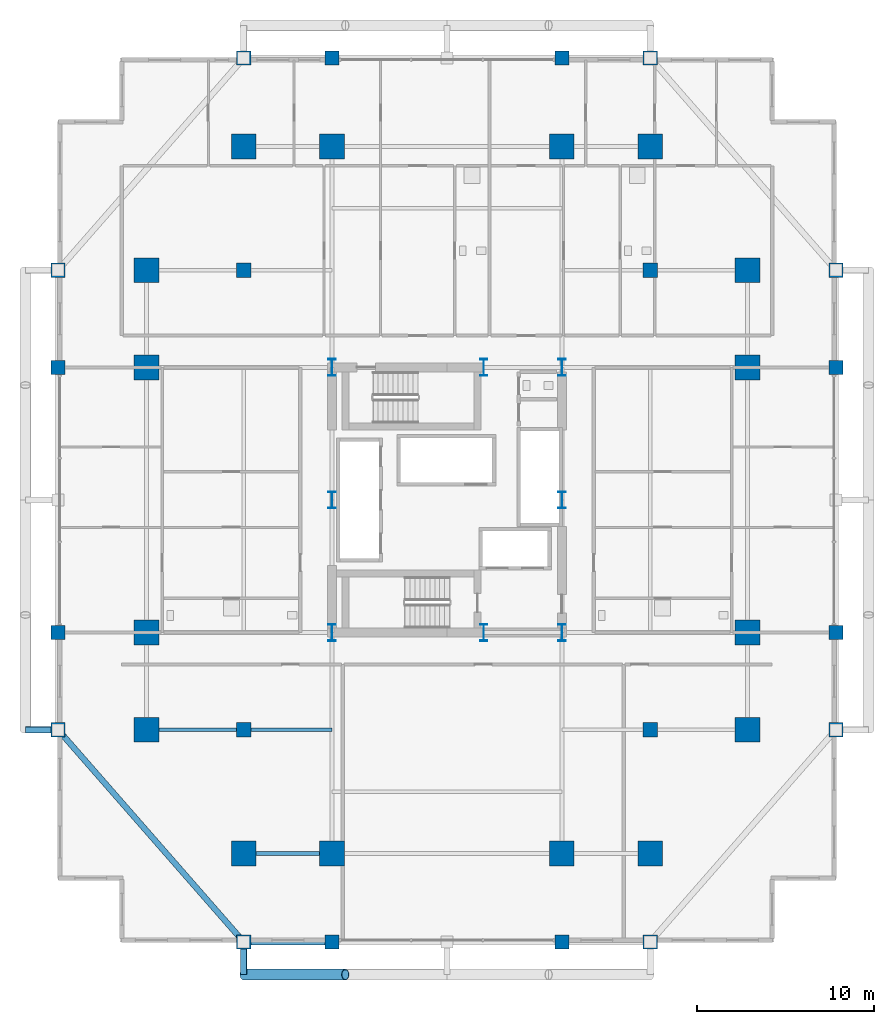
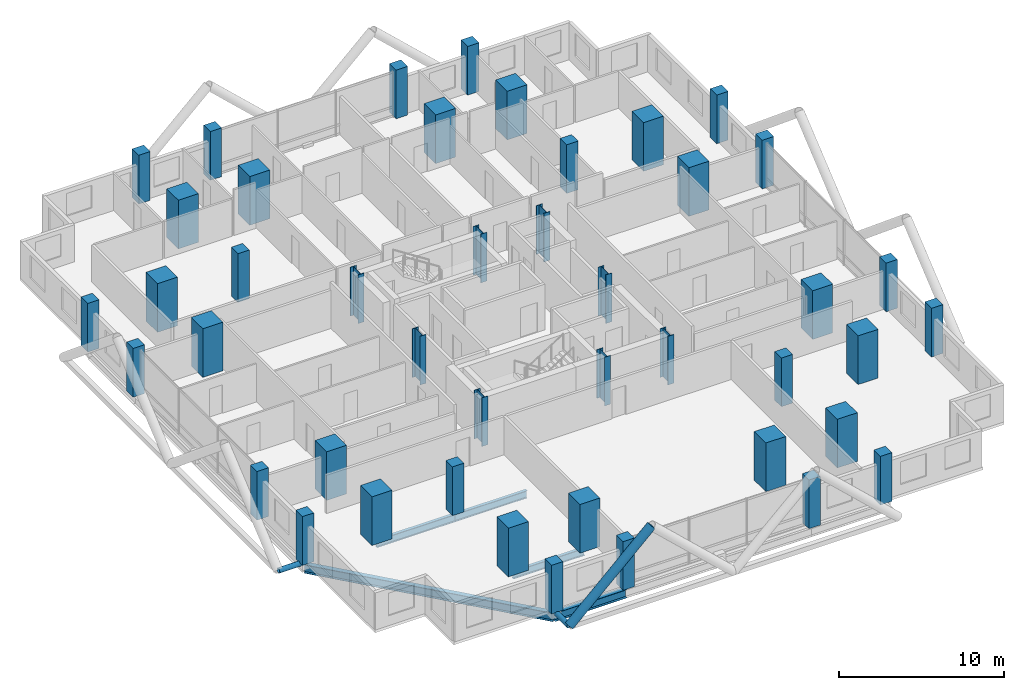
# One storey, part 1 of 27: 44 columns, 5 beams, 3 members.
"""IFC4 building model written with IfcOpenShell, lengths in metres."""

from ifc_helpers import new_model, si_unit, direction, frame, origin, origin_2d, place, context, subcontext, project, spatial, rectangle, hollow_circle, i_section, extrude, material, material_profile, profile_set, type_object, element, save


model = new_model("IFC4")

# Units and contexts
model_context = context("Model", 3, precision=1e-05, world=origin(), true_north=direction((0.0, 1.0)))
body_context = subcontext(model_context, "Body", "Model", "MODEL_VIEW")
ifc_project = project(units=[si_unit("LENGTHUNIT", "METRE"), si_unit("AREAUNIT", "SQUARE_METRE"), si_unit("VOLUMEUNIT", "CUBIC_METRE"), si_unit("PLANEANGLEUNIT", "RADIAN"), si_unit("MASSUNIT", "GRAM", prefix="KILO")], contexts=[model_context])

# Site, building, storey
site_placement = place(None, origin())
site = spatial("IfcSite", under=ifc_project, at=site_placement, CompositionType="ELEMENT")
building_placement = place(site_placement, origin())
building = spatial("IfcBuilding", under=site, at=building_placement, Name="Barlavira Tower and Art Museum", CompositionType="ELEMENT")
storey_placement = place(building_placement, frame((0.0, 0.0, 61.199951171875)))
storey = spatial("IfcBuildingStorey", under=building, at=storey_placement, Name="L14", CompositionType="ELEMENT", Elevation=61.199951171875)

# Columns
ifc_material_1 = material(Name="Steel S355", Category="steel")
ifc_material_profile_1 = material_profile(ifc_material_1, i_section(OverallWidth=0.419921875, OverallDepth=0.9599609375, WebThickness=0.02197265625, FlangeThickness=0.033935546875, at=origin_2d()), Name="W920x387.0")
ifc_profile_set_1 = profile_set([ifc_material_profile_1], Name="Steel S355")
column_type_1 = type_object("IfcColumnType", Name="Core Composite Column W920x387 Steel S355", PredefinedType="COLUMN", material=ifc_profile_set_1)
for number, where, z_axis, x_axis, name in (
    (1, (-6.5, -7.5, 0.0), (0.0, 0.0, 1.0), (1.0, 0.0, 0.0), "L14 Column CC-L14-C1"),
    (2, (2.080078125, -7.5, 0.0), (0.0, 0.0, 1.0), (1.0, 0.0, 0.0), "L14 Column CC-L14-C2"),
    (3, (6.5, -7.5, 0.0), (0.0, 0.0, 1.0), (1.0, 0.0, 0.0), "L14 Column CC-L14-C3"),
    (4, (-6.5, 0.0, 0.0), (0.0, 0.0, 1.0), (1.0, 0.0, 0.0), "L14 Column CC-L14-C4"),
    (5, (6.5, 0.0, 0.0), (0.0, 0.0, 1.0), (1.0, 0.0, 0.0), "L14 Column CC-L14-C5"),
    (6, (-6.5, 7.5, 0.0), (0.0, 0.0, 1.0), (1.0, 0.0, 0.0), "L14 Column CC-L14-C6"),
    (7, (2.080078125, 7.5, 0.0), (0.0, 0.0, 1.0), (1.0, 0.0, 0.0), "L14 Column CC-L14-C7"),
    (8, (6.5, 7.5, 0.0), (0.0, 0.0, 1.0), (1.0, 0.0, 0.0), "L14 Column CC-L14-C8"),
):
    element("IfcColumn", number, at=place(storey_placement, frame(where, z_axis=z_axis, x_axis=x_axis)), inside=storey, type_object=column_type_1, Name=name, PredefinedType="COLUMN", context=body_context, shape_type="SweptSolid", body=[
        extrude(i_section(OverallWidth=0.419921875, OverallDepth=0.9599609375, WebThickness=0.02197265625, FlangeThickness=0.033935546875, at=origin_2d()), origin(), (0.0, 0.0, 1.0), 3.60009765625),
    ])
ifc_material_2 = material(Name="Concrete C60", Category="concrete")
ifc_material_profile_2 = material_profile(ifc_material_2, rectangle(XDim=1.39990234375, YDim=1.39990234375, at=origin_2d()), Name="RC-MCOL 1400x1400")
ifc_profile_set_2 = profile_set([ifc_material_profile_2], Name="Concrete C60")
column_type_2 = type_object("IfcColumnType", Name="Perimeter Mega Column 1400x1400 Concrete C60", PredefinedType="USERDEFINED", material=ifc_profile_set_2)
for number, where, z_axis, x_axis, name in (
    (9, (-11.5, -20.0, 0.0), (0.0, 0.0, 1.0), (1.0, 0.0, 0.0), "L14 Column MC-L14-M01"),
    (10, (-6.5, -20.0, 0.0), (0.0, 0.0, 1.0), (1.0, 0.0, 0.0), "L14 Column MC-L14-M02"),
    (11, (6.5, -20.0, 0.0), (0.0, 0.0, 1.0), (1.0, 0.0, 0.0), "L14 Column MC-L14-M03"),
    (12, (11.5, -20.0, 0.0), (0.0, 0.0, 1.0), (1.0, 0.0, 0.0), "L14 Column MC-L14-M04"),
    (13, (17.0, -13.0, 0.0), (0.0, 0.0, 1.0), (1.0, 0.0, 0.0), "L14 Column MC-L14-M05"),
    (14, (17.0, -7.5, 0.0), (0.0, 0.0, 1.0), (1.0, 0.0, 0.0), "L14 Column MC-L14-M06"),
    (15, (17.0, 7.5, 0.0), (0.0, 0.0, 1.0), (1.0, 0.0, 0.0), "L14 Column MC-L14-M07"),
    (16, (17.0, 13.0, 0.0), (0.0, 0.0, 1.0), (1.0, 0.0, 0.0), "L14 Column MC-L14-M08"),
    (17, (11.5, 20.0, 0.0), (0.0, 0.0, 1.0), (1.0, 0.0, 0.0), "L14 Column MC-L14-M09"),
    (18, (6.5, 20.0, 0.0), (0.0, 0.0, 1.0), (1.0, 0.0, 0.0), "L14 Column MC-L14-M10"),
    (19, (-6.5, 20.0, 0.0), (0.0, 0.0, 1.0), (1.0, 0.0, 0.0), "L14 Column MC-L14-M11"),
    (20, (-11.5, 20.0, 0.0), (0.0, 0.0, 1.0), (1.0, 0.0, 0.0), "L14 Column MC-L14-M12"),
    (21, (-17.0, 13.0, 0.0), (0.0, 0.0, 1.0), (1.0, 0.0, 0.0), "L14 Column MC-L14-M13"),
    (22, (-17.0, 7.5, 0.0), (0.0, 0.0, 1.0), (1.0, 0.0, 0.0), "L14 Column MC-L14-M14"),
    (23, (-17.0, -7.5, 0.0), (0.0, 0.0, 1.0), (1.0, 0.0, 0.0), "L14 Column MC-L14-M15"),
    (24, (-17.0, -13.0, 0.0), (0.0, 0.0, 1.0), (1.0, 0.0, 0.0), "L14 Column MC-L14-M16"),
):
    element("IfcColumn", number, at=place(storey_placement, frame(where, z_axis=z_axis, x_axis=x_axis)), inside=storey, type_object=column_type_2, Name=name, ObjectType="MEGA COLUMN", PredefinedType="USERDEFINED", context=body_context, shape_type="SweptSolid", body=[
        extrude(rectangle(XDim=1.39990234375, YDim=1.39990234375, at=origin_2d()), origin(), (0.0, 0.0, 1.0), 3.60009765625),
    ])
ifc_material_3 = material(Name="Concrete C50", Category="concrete")
ifc_material_profile_3 = material_profile(ifc_material_3, rectangle(XDim=0.800048828125, YDim=0.800048828125, at=origin_2d()), Name="RC-COL 800x800")
ifc_profile_set_3 = profile_set([ifc_material_profile_3], Name="Concrete C50")
column_type_3 = type_object("IfcColumnType", Name="Podium Frame Column 800x800 Concrete C50", PredefinedType="COLUMN", material=ifc_profile_set_3)
for number, where, z_axis, x_axis, name in (
    (25, (-11.5, -13.0, 0.0), (0.0, 0.0, 1.0), (1.0, 0.0, 0.0), "L14 Column CI-L14-I1"),
    (26, (11.5, -13.0, 0.0), (0.0, 0.0, 1.0), (1.0, 0.0, 0.0), "L14 Column CI-L14-I2"),
    (27, (-11.5, 13.0, 0.0), (0.0, 0.0, 1.0), (1.0, 0.0, 0.0), "L14 Column CI-L14-I3"),
    (28, (11.5, 13.0, 0.0), (0.0, 0.0, 1.0), (1.0, 0.0, 0.0), "L14 Column CI-L14-I4"),
    (29, (-11.5, -25.0, 0.0), (0.0, 0.0, 1.0), (1.0, 0.0, 0.0), "L14 Column CZ1-L14-N01"),
    (30, (-6.5, -25.0, 0.0), (0.0, 0.0, 1.0), (1.0, 0.0, 0.0), "L14 Column CZ1-L14-N02"),
    (31, (6.5, -25.0, 0.0), (0.0, 0.0, 1.0), (1.0, 0.0, 0.0), "L14 Column CZ1-L14-N02B"),
    (32, (11.5, -25.0, 0.0), (0.0, 0.0, 1.0), (1.0, 0.0, 0.0), "L14 Column CZ1-L14-N03"),
    (33, (-22.0, -13.0, 0.0), (0.0, 0.0, 1.0), (1.0, 0.0, 0.0), "L14 Column CZ1-L14-N04"),
    (34, (-22.0, -7.5, 0.0), (0.0, 0.0, 1.0), (1.0, 0.0, 0.0), "L14 Column CZ1-L14-N05"),
    (35, (-22.0, 7.5, 0.0), (0.0, 0.0, 1.0), (1.0, 0.0, 0.0), "L14 Column CZ1-L14-N05B"),
    (36, (-22.0, 13.0, 0.0), (0.0, 0.0, 1.0), (1.0, 0.0, 0.0), "L14 Column CZ1-L14-N06"),
    (37, (-11.5, 25.0, 0.0), (0.0, 0.0, 1.0), (1.0, 0.0, 0.0), "L14 Column CZ1-L14-N07"),
    (38, (-6.5, 25.0, 0.0), (0.0, 0.0, 1.0), (1.0, 0.0, 0.0), "L14 Column CZ1-L14-N08"),
    (39, (6.5, 25.0, 0.0), (0.0, 0.0, 1.0), (1.0, 0.0, 0.0), "L14 Column CZ1-L14-N08B"),
    (40, (11.5, 25.0, 0.0), (0.0, 0.0, 1.0), (1.0, 0.0, 0.0), "L14 Column CZ1-L14-N09"),
    (41, (22.0, -13.0, 0.0), (0.0, 0.0, 1.0), (1.0, 0.0, 0.0), "L14 Column CZ1-L14-N10"),
    (42, (22.0, -7.5, 0.0), (0.0, 0.0, 1.0), (1.0, 0.0, 0.0), "L14 Column CZ1-L14-N11"),
    (43, (22.0, 7.5, 0.0), (0.0, 0.0, 1.0), (1.0, 0.0, 0.0), "L14 Column CZ1-L14-N11B"),
    (44, (22.0, 13.0, 0.0), (0.0, 0.0, 1.0), (1.0, 0.0, 0.0), "L14 Column CZ1-L14-N12"),
):
    element("IfcColumn", number, at=place(storey_placement, frame(where, z_axis=z_axis, x_axis=x_axis)), inside=storey, type_object=column_type_3, Name=name, PredefinedType="COLUMN", context=body_context, shape_type="SweptSolid", body=[
        extrude(rectangle(XDim=0.800048828125, YDim=0.800048828125, at=origin_2d()), origin(), (0.0, 0.0, 1.0), 3.60009765625),
    ])

# Members
ifc_material_profile_4 = material_profile(ifc_material_1, hollow_circle(Radius=0.304931640625, WallThickness=0.028076171875, at=origin_2d()), Name="CHS 610.0x28.0")
ifc_profile_set_4 = profile_set([ifc_material_profile_4], Name="Steel S355")
member_type_1 = type_object("IfcMemberType", Name="Pale-Metal Exoskeleton Diagrid Tube CHS 610x28 Steel S355", PredefinedType="BRACE", material=ifc_profile_set_4)
member_placement = place(storey_placement, frame((-11.5, -26.85009765625, -0.119873046875), z_axis=(0.728950095515, 0.0, 0.684566839869), x_axis=(0.0, 1.0, 0.0)))
element("IfcMember", 45, at=member_placement, inside=storey, type_object=member_type_1, Name="L14 Exoskeleton Diagrid Tube S", PredefinedType="BRACE", context=body_context, shape_type="SweptSolid", body=[
    extrude(hollow_circle(Radius=0.304931640625, WallThickness=0.028076171875, at=origin_2d()), origin(), (0.0, 0.0, 1.0), 7.887939453125),
])
ifc_material_profile_5 = material_profile(ifc_material_1, hollow_circle(Radius=0.177734375, WallThickness=0.01611328125, at=origin_2d()), Name="CHS 355.6x16.0")
ifc_profile_set_5 = profile_set([ifc_material_profile_5], Name="Steel S355")
member_type_2 = type_object("IfcMemberType", Name="Pale-Metal Exoskeleton Tie Strut CHS 356x16 Steel S355", PredefinedType="STRUT", material=ifc_profile_set_5)
for number, where, z_axis, x_axis, name in (
    (46, (-11.5, -26.85009765625, -0.119873046875), (0.0, 1.0, 0.0), (-1.0, 0.0, 0.0), "L14 Exoskeleton Tie Strut S1"),
    (47, (-23.85009765625, -13.0, -0.119873046875), (1.0, 0.0, 0.0), (0.0, 1.0, 0.0), "L14 Exoskeleton Tie Strut W1"),
):
    element("IfcMember", number, at=place(storey_placement, frame(where, z_axis=z_axis, x_axis=x_axis)), inside=storey, type_object=member_type_2, Name=name, PredefinedType="STRUT", context=body_context, shape_type="SweptSolid", body=[
        extrude(hollow_circle(Radius=0.177734375, WallThickness=0.01611328125, at=origin_2d()), origin(), (0.0, 0.0, 1.0), 1.85009765625),
    ])

# Beams
ifc_material_profile_6 = material_profile(ifc_material_1, i_section(OverallWidth=0.327880859375, OverallDepth=0.62890625, WebThickness=0.013916015625, FlangeThickness=0.021484375, at=origin_2d()), Name="W610x174.0")
ifc_profile_set_6 = profile_set([ifc_material_profile_6], Name="Steel S355")
beam_type_1 = type_object("IfcBeamType", Name="Perimeter Spandrel Edge Beam W610x174 Steel S355", PredefinedType="SPANDREL", material=ifc_profile_set_6)
beam_1_placement = place(storey_placement, frame((-11.5, -25.0, -0.534423828125), z_axis=(1.0, 0.0, 0.0), x_axis=(0.0, 1.0, 0.0)))
element("IfcBeam", 48, at=beam_1_placement, inside=storey, type_object=beam_type_1, Name="L14 Spandrel 1", PredefinedType="SPANDREL", context=body_context, shape_type="SweptSolid", body=[
    extrude(i_section(OverallWidth=0.327880859375, OverallDepth=0.62890625, WebThickness=0.013916015625, FlangeThickness=0.021484375, at=origin_2d()), origin(), (0.0, 0.0, 1.0), 5.0),
])
beam_2_placement = place(storey_placement, frame((-22.0, -13.0, -0.534423828125), z_axis=(0.658504607869, -0.752576694707, 0.0), x_axis=(0.752576694707, 0.658504607869, 0.0)))
element("IfcBeam", 49, at=beam_2_placement, inside=storey, type_object=beam_type_1, Name="L14 Spandrel 16", PredefinedType="SPANDREL", context=body_context, shape_type="SweptSolid", body=[
    extrude(i_section(OverallWidth=0.327880859375, OverallDepth=0.62890625, WebThickness=0.013916015625, FlangeThickness=0.021484375, at=origin_2d()), origin(), (0.0, 0.0, 1.0), 15.9453125),
])
ifc_material_profile_7 = material_profile(ifc_material_1, i_section(OverallWidth=0.214111328125, OverallDepth=0.549072265625, WebThickness=0.0146484375, FlangeThickness=0.023681640625, at=origin_2d()), Name="W530x138.0")
ifc_profile_set_7 = profile_set([ifc_material_profile_7], Name="Steel S355")
beam_type_2 = type_object("IfcBeamType", Name="Zone 1 Primary Floor Girder W530x138 Steel S355", PredefinedType="BEAM", material=ifc_profile_set_7)
beam_3_placement = place(storey_placement, frame((-11.5, -20.0, -0.494384765625), z_axis=(1.0, 0.0, 0.0), x_axis=(0.0, 1.0, 0.0)))
element("IfcBeam", 50, at=beam_3_placement, inside=storey, type_object=beam_type_2, Name="L14 Girder M-S1", PredefinedType="BEAM", context=body_context, shape_type="SweptSolid", body=[
    extrude(i_section(OverallWidth=0.214111328125, OverallDepth=0.549072265625, WebThickness=0.0146484375, FlangeThickness=0.023681640625, at=origin_2d()), origin(), (0.0, 0.0, 1.0), 5.0),
])
beam_4_placement = place(storey_placement, frame((-17.0, -13.0, -0.494384765625), z_axis=(1.0, 0.0, 0.0), x_axis=(0.0, 1.0, 0.0)))
element("IfcBeam", 51, at=beam_4_placement, inside=storey, type_object=beam_type_2, Name="L14 Girder I-S1", PredefinedType="BEAM", context=body_context, shape_type="SweptSolid", body=[
    extrude(i_section(OverallWidth=0.214111328125, OverallDepth=0.549072265625, WebThickness=0.0146484375, FlangeThickness=0.023681640625, at=origin_2d()), origin(), (0.0, 0.0, 1.0), 5.5),
])
beam_5_placement = place(storey_placement, frame((-11.5, -13.0, -0.494384765625), z_axis=(1.0, 0.0, 0.0), x_axis=(0.0, 1.0, 0.0)))
element("IfcBeam", 52, at=beam_5_placement, inside=storey, type_object=beam_type_2, Name="L14 Girder I-S2", PredefinedType="BEAM", context=body_context, shape_type="SweptSolid", body=[
    extrude(i_section(OverallWidth=0.214111328125, OverallDepth=0.549072265625, WebThickness=0.0146484375, FlangeThickness=0.023681640625, at=origin_2d()), origin(), (0.0, 0.0, 1.0), 5.0),
])

save(model, "model.ifc")
